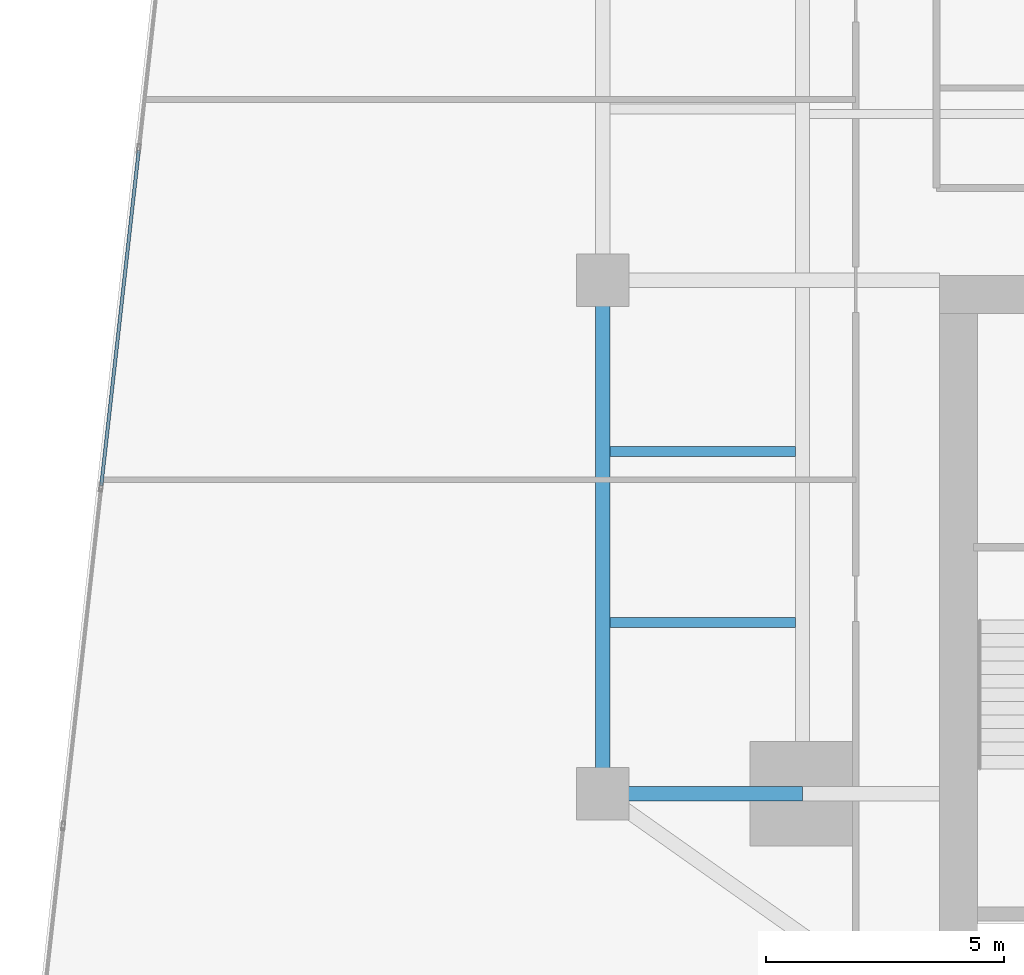
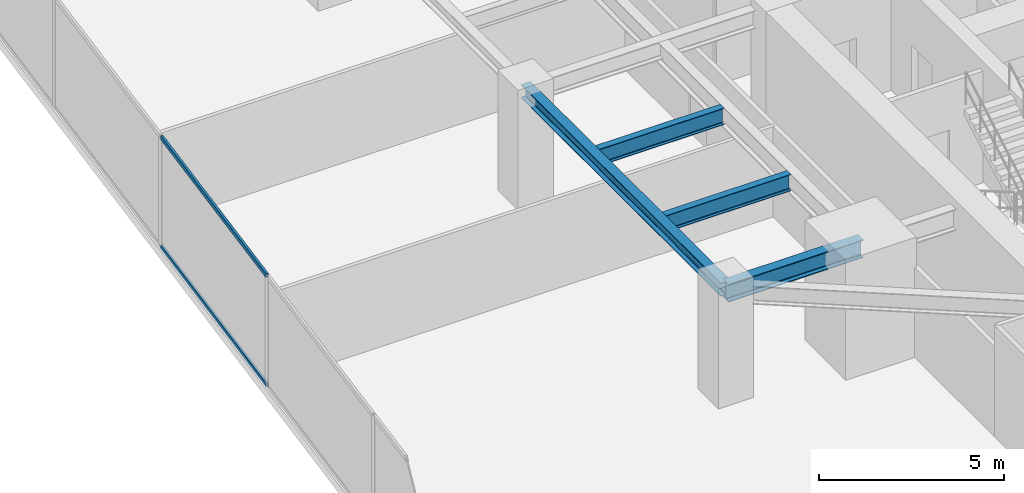
# One storey, part 7 of 29: 4 beams, 2 members, 1 element without a shape of its own.
"""IFC4 building model written with IfcOpenShell, lengths in metres."""

import ifcopenshell
import ifcopenshell.guid

model = None  # the IFC model being written
_history = None  # IfcOwnerHistory: only IFC2X3 demands one
_inside = {}  # id of a spatial element -> (the spatial element, [elements in it])
_under = {}  # id of a project, library or spatial element -> (it, [spatial elements below it])
_declared = {}  # id of a project -> (the project, [libraries it declares])
_typed = {}  # id of a type object -> (the type object, [elements of that type])
_made_of = {}  # id of a material, layer set ... -> (it, [elements and type objects made of it])


def new_model(schema):
    """Start an empty IFC model of exactly this schema.

    Asked for "IFC4X3", IfcOpenShell would pick the latest addendum, in which some entities
    have other attributes; the version numbers below select the first issue.
    IFC2X3 requires an IfcOwnerHistory on every rooted entity: one is made here for all.
    """
    global model, _history
    if schema == "IFC4X3":
        model = ifcopenshell.file(schema_version=(4, 3, 0, 0))
    else:
        model = ifcopenshell.file(schema=schema)
    _inside.clear()
    _under.clear()
    _declared.clear()
    _typed.clear()
    _made_of.clear()
    _history = None
    if model.schema == "IFC2X3":
        org = make("IfcOrganization", Name="unknown")
        user = make(
            "IfcPersonAndOrganization",
            ThePerson=make("IfcPerson", FamilyName="unknown"),
            TheOrganization=org,
        )
        app = make(
            "IfcApplication",
            ApplicationDeveloper=org,
            Version="unknown",
            ApplicationFullName="unknown",
            ApplicationIdentifier="unknown",
        )
        _history = make(
            "IfcOwnerHistory",
            OwningUser=user,
            OwningApplication=app,
            ChangeAction="ADDED",
            CreationDate=0,
        )
    return model


def make(cls, **values):
    """One entity of the class cls with the attributes given. An attribute that is None is left unset."""
    return model.create_entity(
        cls, **{name: value for name, value in values.items() if value is not None}
    )


def rooted(cls, **values):
    """An entity with a GlobalId (a new one), such as an element, a storey or a relation."""
    return make(cls, GlobalId=ifcopenshell.guid.new(), OwnerHistory=_history, **values)


def si_unit(unit_type, name, prefix=None):
    """IfcSIUnit, for example si_unit("LENGTHUNIT", "METRE", prefix="MILLI")."""
    return make("IfcSIUnit", UnitType=unit_type, Prefix=prefix, Name=name)


def assignment(units):
    """IfcUnitAssignment: the units of a project."""
    return None if units is None else make("IfcUnitAssignment", Units=units)


def point(xyz):
    """IfcCartesianPoint."""
    return None if xyz is None else make("IfcCartesianPoint", Coordinates=xyz)


def direction(xyz):
    """IfcDirection."""
    return None if xyz is None else make("IfcDirection", DirectionRatios=xyz)


def frame(location, z_axis=None, x_axis=None):
    """IfcAxis2Placement3D, a coordinate frame: its origin and axes. An axis left out is left unset."""
    return make(
        "IfcAxis2Placement3D",
        Location=point(location),
        Axis=direction(z_axis),
        RefDirection=direction(x_axis),
    )


def frame_2d(location, x_axis=None):
    """IfcAxis2Placement2D, a coordinate frame in the plane: its origin and x axis."""
    return make(
        "IfcAxis2Placement2D", Location=point(location), RefDirection=direction(x_axis)
    )


def origin():
    """The frame at (0, 0, 0) with its axes left unset."""
    return frame((0.0, 0.0, 0.0))


def origin_2d():
    """The frame at (0, 0) in the plane with its x axis left unset."""
    return frame_2d((0.0, 0.0))


def place(relative_to, where):
    """IfcLocalPlacement: puts the frame where relative to a parent placement (None: the world)."""
    return make(
        "IfcLocalPlacement", PlacementRelTo=relative_to, RelativePlacement=where
    )


def context(
    kind, dimensions, precision=None, world=None, true_north=None, identifier=None
):
    """IfcGeometricRepresentationContext, for example the 3D "Model" context."""
    return make(
        "IfcGeometricRepresentationContext",
        ContextIdentifier=identifier,
        ContextType=kind,
        CoordinateSpaceDimension=dimensions,
        Precision=precision,
        WorldCoordinateSystem=world,
        TrueNorth=true_north,
    )


def subcontext(parent, identifier, kind, view, scale=None):
    """IfcGeometricRepresentationSubContext, for example "Body" below "Model"."""
    return make(
        "IfcGeometricRepresentationSubContext",
        ContextIdentifier=identifier,
        ContextType=kind,
        ParentContext=parent,
        TargetScale=scale,
        TargetView=view,
    )


def project(units=None, contexts=None):
    """IfcProject with its units and contexts."""
    return rooted(
        "IfcProject",
        Name="project",
        RepresentationContexts=contexts,
        UnitsInContext=assignment(units),
    )


def spatial(cls, under=None, at=None, **own):
    """A site, building, storey or space (cls), placed at a placement, below another one or the project."""
    s = rooted(cls, ObjectPlacement=at, **own)
    if under is not None:
        _under.setdefault(under.id(), (under, []))[1].append(s)
    return s


def profile(cls, at=None, kind="AREA", **sizes):
    """A parametric profile (cls). Its sizes go by their IFC names, for example OverallWidth=200.0."""
    return make(cls, ProfileType=kind, Position=at, **sizes)


def hollow_rectangle(**sizes):
    """IfcRectangleHollowProfileDef."""
    return profile("IfcRectangleHollowProfileDef", **sizes)


def i_section(**sizes):
    """IfcIShapeProfileDef."""
    return profile("IfcIShapeProfileDef", **sizes)


def extrude(swept, where, along, depth):
    """IfcExtrudedAreaSolid: the profile swept, set in the frame where, extruded along a direction by depth."""
    return make(
        "IfcExtrudedAreaSolid",
        SweptArea=swept,
        Position=where,
        ExtrudedDirection=direction(along),
        Depth=depth,
    )


def shape(context_of_items, identifier, shape_type, items):
    """IfcShapeRepresentation: the items that make up one representation, for example the "Body"."""
    return make(
        "IfcShapeRepresentation",
        ContextOfItems=context_of_items,
        RepresentationIdentifier=identifier,
        RepresentationType=shape_type,
        Items=items,
    )


def source(mapping_origin, context_of_items, identifier, shape_type, items):
    """IfcRepresentationMap: a shape defined once, which mapped items show again and again."""
    return make(
        "IfcRepresentationMap",
        MappingOrigin=mapping_origin,
        MappedRepresentation=shape(context_of_items, identifier, shape_type, items),
    )


def transform(
    local_origin,
    x_axis=None,
    y_axis=None,
    z_axis=None,
    scale=None,
    scale2=None,
    scale3=None,
    uniform=True,
):
    """IfcCartesianTransformationOperator3D, or its non-uniform kind. x_axis, y_axis, z_axis: its Axis1, 2, 3."""
    if uniform:
        return make(
            "IfcCartesianTransformationOperator3D",
            Axis1=direction(x_axis),
            Axis2=direction(y_axis),
            LocalOrigin=point(local_origin),
            Scale=scale,
            Axis3=direction(z_axis),
        )
    return make(
        "IfcCartesianTransformationOperator3DnonUniform",
        Axis1=direction(x_axis),
        Axis2=direction(y_axis),
        LocalOrigin=point(local_origin),
        Scale=scale,
        Axis3=direction(z_axis),
        Scale2=scale2,
        Scale3=scale3,
    )


def mapped(mapping_source, mapping_target):
    """IfcMappedItem: shows the shape of a source again, moved by a transform."""
    return make(
        "IfcMappedItem", MappingSource=mapping_source, MappingTarget=mapping_target
    )


def material(Name=None, Category=None):
    """IfcMaterial."""
    return make("IfcMaterial", Name=Name, Category=Category)


def material_profile(
    of_material, cross_section, Name=None, Category=None, Priority=None
):
    """IfcMaterialProfile: a cross section and its material."""
    return make(
        "IfcMaterialProfile",
        Name=Name,
        Material=of_material,
        Profile=cross_section,
        Priority=Priority,
        Category=Category,
    )


def profile_set(profiles, Name=None, composite=None):
    """IfcMaterialProfileSet."""
    return make(
        "IfcMaterialProfileSet",
        Name=Name,
        MaterialProfiles=profiles,
        CompositeProfile=composite,
    )


def made_of(thing, what):
    """Note that an element or type object is made of a material, layer set ...; save() writes the relation."""
    if what is not None:
        _made_of.setdefault(what.id(), (what, []))[1].append(thing)
    return thing


def type_object(cls, material=None, **own):
    """A type object (cls), such as IfcWallType, which elements share."""
    return made_of(rooted(cls, **own), material)


def type_shapes(of_type, sources):
    """Give a type object the sources (RepresentationMaps) that its elements show as mapped items."""
    of_type.RepresentationMaps = sources


def element(
    cls,
    number,
    at=None,
    inside=None,
    cuts=None,
    type_object=None,
    material=None,
    context=None,
    identifier="Body",
    shape_type=None,
    held_by="IfcProductDefinitionShape",
    body=None,
    shapes=None,
    **own,
):
    """One element of the class cls, such as IfcWall. Its Tag is "e" and its number.

    at: its placement. inside: the storey or other place that contains it. cuts: it is an
    opening in that element (IfcRelVoidsElement). A single representation is given by context,
    identifier, shape_type and body (its items); several are given by shapes. held_by: the class
    of the entity that holds the representations. save() writes the other relations.
    """
    e = rooted(cls, Tag="e%d" % number, ObjectPlacement=at, **own)
    if body is not None:
        shapes = [shape(context, identifier, shape_type, body)]
    if shapes is not None:
        e.Representation = make(held_by, Representations=shapes)
    if inside is not None:
        _inside.setdefault(inside.id(), (inside, []))[1].append(e)
    if cuts is not None:
        rooted(
            "IfcRelVoidsElement", RelatingBuildingElement=cuts, RelatedOpeningElement=e
        )
    if type_object is not None:
        _typed.setdefault(type_object.id(), (type_object, []))[1].append(e)
    return made_of(e, material)


def aggregate(whole, parts):
    """IfcRelAggregates: a whole, such as a stair, and the parts it consists of."""
    return rooted("IfcRelAggregates", RelatingObject=whole, RelatedObjects=parts)


def save(model, path):
    """Write the relations noted so far, then the file.

    IfcRelAggregates (storeys below a building ...), IfcRelContainedInSpatialStructure (elements
    in a storey), IfcRelDefinesByType, IfcRelAssociatesMaterial and IfcRelDeclares: one each for
    every whole, place, type object, material and project.
    """
    for whole, parts in _under.values():
        aggregate(whole, parts)
    for where, things in _inside.values():
        rooted(
            "IfcRelContainedInSpatialStructure",
            RelatedElements=things,
            RelatingStructure=where,
        )
    for kind, things in _typed.values():
        rooted("IfcRelDefinesByType", RelatedObjects=things, RelatingType=kind)
    for what, things in _made_of.values():
        rooted("IfcRelAssociatesMaterial", RelatedObjects=things, RelatingMaterial=what)
    for by, libraries in _declared.values():
        rooted("IfcRelDeclares", RelatingContext=by, RelatedDefinitions=libraries)
    model.write(path)


model = new_model("IFC4")

# Units and contexts
model_context = context("Model", 3, precision=1e-05, world=origin(), true_north=direction((0.0, 1.0)))
body_context = subcontext(model_context, "Body", "Model", "MODEL_VIEW")
ifc_project = project(units=[si_unit("LENGTHUNIT", "METRE"), si_unit("AREAUNIT", "SQUARE_METRE"), si_unit("VOLUMEUNIT", "CUBIC_METRE"), si_unit("PLANEANGLEUNIT", "RADIAN"), si_unit("MASSUNIT", "GRAM", prefix="KILO")], contexts=[model_context])

# Site, building, storey
site_placement = place(None, origin())
site = spatial("IfcSite", under=ifc_project, at=site_placement, CompositionType="ELEMENT")
building_placement = place(site_placement, origin())
building = spatial("IfcBuilding", under=site, at=building_placement, Name="Krantzveldt Concourse Tower", CompositionType="ELEMENT")
storey_placement = place(building_placement, frame((0.0, 0.0, 60.550048828125)))
storey = spatial("IfcBuildingStorey", under=building, at=storey_placement, Name="L14", CompositionType="ELEMENT", Elevation=60.550048828125)

# Beams
ifc_material_1 = material(Name="Steel S355JR", Category="steel")
ifc_material_profile_1 = material_profile(ifc_material_1, i_section(OverallWidth=0.300048828125, OverallDepth=0.43994140625, WebThickness=0.011474609375, FlangeThickness=0.02099609375, FilletRadius=0.027099609375, at=origin_2d()), Name="Steel S355JR", Category="steel")
ifc_profile_set_1 = profile_set([ifc_material_profile_1], Name="Steel S355JR - HEA 450")
beam_type_1 = type_object("IfcBeamType", Name="BM-SP-HEA450", PredefinedType="SPANDREL", material=ifc_profile_set_1)
shared_shape_1 = source(origin(), body_context, "Body", "SweptSolid", [
    extrude(i_section(OverallWidth=0.300048828125, OverallDepth=0.43994140625, WebThickness=0.011474609375, FlangeThickness=0.02099609375, FilletRadius=0.027099609375, at=origin_2d()), origin(), (0.0, 0.0, 1.0), 10.800048828125),
])
type_shapes(beam_type_1, [shared_shape_1])
beam_1_placement = place(storey_placement, frame((21.0, 15.89990234375, 3.449951171875), z_axis=(0.0, 1.0, 0.0), x_axis=(-1.0, 0.0, 0.0)))
element("IfcBeam", 1, at=beam_1_placement, inside=storey, type_object=beam_type_1, Name="L14 Tower Girder SP-R01", PredefinedType="SPANDREL", context=body_context, shape_type="MappedRepresentation", body=[
    mapped(shared_shape_1, transform((0.0, 0.0, 0.0), x_axis=(1.0, 0.0, 0.0), y_axis=(0.0, 1.0, 0.0), z_axis=(0.0, 0.0, 1.0), scale=1.0)),
])
ifc_material_profile_2 = material_profile(ifc_material_1, i_section(OverallWidth=0.300048828125, OverallDepth=0.590087890625, WebThickness=0.012939453125, FlangeThickness=0.02490234375, FilletRadius=0.027099609375, at=origin_2d()), Name="Steel S355JR", Category="steel")
ifc_profile_set_2 = profile_set([ifc_material_profile_2], Name="Steel S355JR - HEA 600")
beam_type_2 = type_object("IfcBeamType", Name="BM-B-HEA600", PredefinedType="BEAM", material=ifc_profile_set_2)
shared_shape_2 = source(origin(), body_context, "Body", "SweptSolid", [
    extrude(i_section(OverallWidth=0.300048828125, OverallDepth=0.590087890625, WebThickness=0.012939453125, FlangeThickness=0.02490234375, FilletRadius=0.027099609375, at=origin_2d()), origin(), (0.0, 0.0, 1.0), 4.199951171875),
])
type_shapes(beam_type_2, [shared_shape_2])
beam_2_placement = place(storey_placement, frame((21.0, 15.89990234375, 3.375), z_axis=(1.0, 0.0, 0.0), x_axis=(0.0, 1.0, 0.0)))
element("IfcBeam", 2, at=beam_2_placement, inside=storey, type_object=beam_type_2, Name="L14 Tower Girder BR-RL1", PredefinedType="BEAM", context=body_context, shape_type="MappedRepresentation", body=[
    mapped(shared_shape_2, transform((0.0, 0.0, 0.0), x_axis=(1.0, 0.0, 0.0), y_axis=(0.0, 1.0, 0.0), z_axis=(0.0, 0.0, 1.0), scale=1.0)),
])
ifc_material_profile_3 = material_profile(ifc_material_1, i_section(OverallWidth=0.2099609375, OverallDepth=0.550048828125, WebThickness=0.010986328125, FlangeThickness=0.01708984375, FilletRadius=0.02392578125, at=origin_2d()), Name="Steel S355JR", Category="steel")
ifc_profile_set_3 = profile_set([ifc_material_profile_3], Name="Steel S355JR - IPE 550")
beam_type_3 = type_object("IfcBeamType", Name="BM-J-IPE550", PredefinedType="JOIST", material=ifc_profile_set_3)
shared_shape_3 = source(origin(), body_context, "Body", "SweptSolid", [
    extrude(i_section(OverallWidth=0.2099609375, OverallDepth=0.550048828125, WebThickness=0.010986328125, FlangeThickness=0.01708984375, FilletRadius=0.02392578125, at=origin_2d()), origin(), (0.0, 0.0, 1.0), 3.900146484375),
])
type_shapes(beam_type_3, [shared_shape_3])
for number, where, z_axis, x_axis, name in (
    (3, (21.14990234375, 19.5, 3.39501953125), (1.0, 0.0, 0.0), (0.0, 1.0, 0.0), "L14 Secondary Floor Joist JW-1"),
    (4, (21.14990234375, 23.10009765625, 3.39501953125), (1.0, 0.0, 0.0), (0.0, 1.0, 0.0), "L14 Secondary Floor Joist JW-2"),
):
    element("IfcBeam", number, at=place(storey_placement, frame(where, z_axis=z_axis, x_axis=x_axis)), inside=storey, type_object=beam_type_3, Name=name, PredefinedType="JOIST", context=body_context, shape_type="MappedRepresentation", body=[
        mapped(shared_shape_3, transform((0.0, 0.0, 0.0), x_axis=(1.0, 0.0, 0.0), y_axis=(0.0, 1.0, 0.0), z_axis=(0.0, 0.0, 1.0), scale=1.0)),
    ])

# Curtain wall, members
ifc_material_2 = material(Name="Anodised aluminium 6063-T6", Category="aluminium")
curtain_wall_type = type_object("IfcCurtainWallType", Name="CW2", PredefinedType="USERDEFINED", material=ifc_material_2)
curtain_wall_placement = place(storey_placement, origin())
curtain_wall = element("IfcCurtainWall", 5, at=curtain_wall_placement, inside=storey, type_object=curtain_wall_type, Name="CW-L14-F01", ObjectType="UNITISED CURTAIN WALL", PredefinedType="USERDEFINED")
ifc_material_profile_4 = material_profile(ifc_material_2, hollow_rectangle(XDim=0.070068359375, YDim=0.139892578125, WallThickness=0.0048828125, at=origin_2d()), Name="Anodised aluminium 6063-T6", Category="aluminium")
ifc_profile_set_4 = profile_set([ifc_material_profile_4], Name="Anodised aluminium 6063-T6 - ALU-TRAN 140x70x5")
member_type = type_object("IfcMemberType", Name="CW-TRN-150", PredefinedType="USERDEFINED", material=ifc_profile_set_4)
shared_shape_4 = source(origin(), body_context, "Body", "SweptSolid", [
    extrude(hollow_rectangle(XDim=0.070068359375, YDim=0.139892578125, WallThickness=0.0048828125, at=origin_2d()), origin(), (0.0, 0.0, 1.0), 7.0966796875),
])
type_shapes(member_type, [shared_shape_4])
member_1_placement = place(storey_placement, frame((11.240234375, 29.43115234375, 0.034912109375), z_axis=(-0.111050746722, -0.993814737088, 0.0), x_axis=(0.993814737088, -0.111050746722, 0.0)))
member_1 = element("IfcMember", 6, at=member_1_placement, type_object=member_type, Name="CW-Z12 transom 4.1", ObjectType="TRANSOM", PredefinedType="USERDEFINED", context=body_context, shape_type="MappedRepresentation", body=[
    mapped(shared_shape_4, transform((0.0, 0.0, 0.0), x_axis=(1.0, 0.0, 0.0), y_axis=(0.0, 1.0, 0.0), z_axis=(0.0, 0.0, 1.0), scale=1.0)),
])
member_2_placement = place(storey_placement, frame((11.240234375, 29.43115234375, 3.635009765625), z_axis=(-0.111050746722, -0.993814737088, 0.0), x_axis=(0.993814737088, -0.111050746722, 0.0)))
member_2 = element("IfcMember", 7, at=member_2_placement, type_object=member_type, Name="CW-Z12 transom 4.2", ObjectType="TRANSOM", PredefinedType="USERDEFINED", context=body_context, shape_type="MappedRepresentation", body=[
    mapped(shared_shape_4, transform((0.0, 0.0, 0.0), x_axis=(1.0, 0.0, 0.0), y_axis=(0.0, 1.0, 0.0), z_axis=(0.0, 0.0, 1.0), scale=1.0)),
])
aggregate(curtain_wall, [member_1, member_2])

save(model, "model.ifc")
